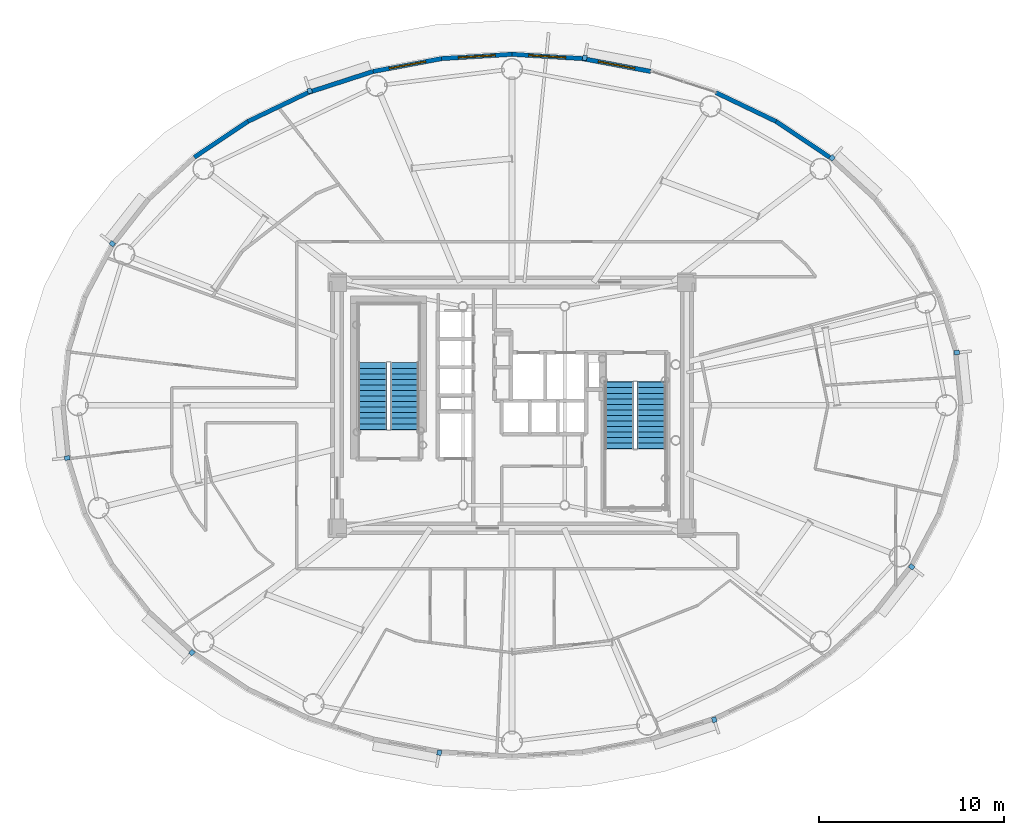
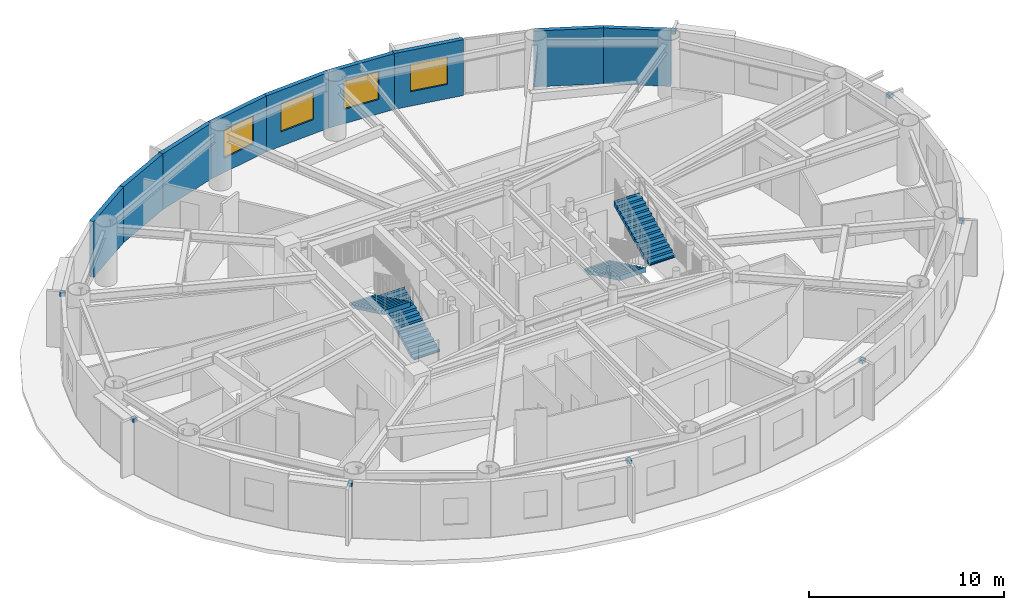
# One storey, part 13 of 19: 10 discrete accessories, 9 walls, 4 stair flights, 4 windows, 4 openings, 2 elements without a shape of their own.
"""IFC4 building model written with IfcOpenShell, lengths in metres."""

from ifc_helpers import new_model, si_unit, direction, frame, frame_2d, origin, origin_2d, place, context, subcontext, project, spatial, polyline, rectangle, outline, extrude, source, transform, mapped, material, layer, layer_set, type_object, element, fill, aggregate, save


model = new_model("IFC4")

# Units and contexts
model_context = context("Model", 3, precision=1e-05, world=origin(), true_north=direction((0.0, 1.0)))
body_context = subcontext(model_context, "Body", "Model", "MODEL_VIEW")
ifc_project = project(units=[si_unit("LENGTHUNIT", "METRE"), si_unit("AREAUNIT", "SQUARE_METRE"), si_unit("VOLUMEUNIT", "CUBIC_METRE"), si_unit("PLANEANGLEUNIT", "RADIAN"), si_unit("MASSUNIT", "GRAM", prefix="KILO")], contexts=[model_context])

# Site, building, storey
site_placement = place(None, origin())
site = spatial("IfcSite", under=ifc_project, at=site_placement, CompositionType="ELEMENT")
building_placement = place(site_placement, origin())
building = spatial("IfcBuilding", under=site, at=building_placement, Name="Linh Dai School and Residence Tower", CompositionType="ELEMENT")
storey_placement = place(building_placement, frame((0.0, 0.0, 210.300048828125)))
storey = spatial("IfcBuildingStorey", under=building, at=storey_placement, Name="L51", CompositionType="ELEMENT", Elevation=210.300048828125)

# Walls
ifc_material_1 = material(Name="Precast Concrete B45 (C35/45)", Category="concrete")
ifc_layer = layer(ifc_material_1, 0.239990234375)
ifc_layer_set = layer_set([ifc_layer], Name="Precast Concrete B45 (C35/45)")
wall_type = type_object("IfcWallType", Name="EW-TC-240", PredefinedType="SOLIDWALL", material=ifc_layer_set)
wall_1_placement = place(storey_placement, frame((50.280029296875, 42.34765625, 0.0), z_axis=(0.0, 0.0, 1.0), x_axis=(0.831262496074, -0.555880079352, 0.0)))
element("IfcWall", 1, at=wall_1_placement, inside=storey, type_object=wall_type, Name="L51 Terracotta Exterior Wall 06", PredefinedType="SOLIDWALL", context=body_context, shape_type="SweptSolid", body=[
    extrude(rectangle(XDim=3.484130859375, YDim=0.239990234375, at=frame_2d((1.7421875, 0.0))), origin(), (0.0, 0.0, 1.0), 3.5),
])
wall_2_placement = place(storey_placement, frame((47.031005859375, 43.906494140625, 0.0), z_axis=(0.0, 0.0, 1.0), x_axis=(0.901598104751, -0.432574684313, 0.0)))
element("IfcWall", 2, at=wall_2_placement, inside=storey, type_object=wall_type, Name="L51 Terracotta Exterior Wall 07", PredefinedType="SOLIDWALL", context=body_context, shape_type="SweptSolid", body=[
    extrude(rectangle(XDim=3.603515625, YDim=0.239990234375, at=frame_2d((1.8017578125, 0.0))), origin(), (0.0, 0.0, 1.0), 3.5),
])

# Wall, opening, window
wall_3_placement = place(storey_placement, frame((39.801513671875, 45.745849609375, 0.0), z_axis=(0.0, 0.0, 1.0), x_axis=(0.982784898575, -0.184753465822, 0.0)))
wall_3 = element("IfcWall", 3, at=wall_3_placement, inside=storey, type_object=wall_type, Name="L51 Terracotta Exterior Wall 09", PredefinedType="SOLIDWALL", context=body_context, shape_type="SweptSolid", body=[
    extrude(rectangle(XDim=3.772705078125, YDim=0.239990234375, at=frame_2d((1.88623046875, 0.0))), origin(), (0.0, 0.0, 1.0), 3.5),
])
opening_1_placement = place(wall_3_placement, frame((0.88623046875, 0.0, 0.89990234375)))
opening_1 = element("IfcOpeningElement", 4, at=opening_1_placement, cuts=wall_3, Name="Opening W1", PredefinedType="OPENING", context=body_context, shape_type="SweptSolid", body=[
    extrude(rectangle(XDim=2.0, YDim=1.75, at=origin_2d()), frame((1.0, 0.1298828125, 0.875), z_axis=(0.0, -1.0, 0.0), x_axis=(1.0, 0.0, 0.0)), (0.0, 0.0, 1.0), 0.260009765625),
])
ifc_material_2 = material(Name="Double Low-E Insulated Glazing", Category="glass")
window_type = type_object("IfcWindowType", Name="WN-RES-2000x1750", PartitioningType="DOUBLE_PANEL_VERTICAL", PredefinedType="WINDOW", material=ifc_material_2)
shared_shape_1 = source(origin(), body_context, "Body", "SweptSolid", [
    extrude(rectangle(XDim=2.0, YDim=1.75, at=origin_2d()), frame((1.0, 0.030029296875, 0.875), z_axis=(0.0, -1.0, 0.0), x_axis=(1.0, 0.0, 0.0)), (0.0, 0.0, 1.0), 0.06005859375),
])
window_1_placement = place(opening_1_placement, origin())
window_1 = element("IfcWindow", 5, at=window_1_placement, inside=storey, type_object=window_type, Name="L51 Exterior Window 09.1", OverallHeight=1.75, OverallWidth=2.0, PartitioningType="DOUBLE_PANEL_VERTICAL", PredefinedType="WINDOW", context=body_context, shape_type="MappedRepresentation", body=[
    mapped(shared_shape_1, transform((0.0, 0.0, 0.0), x_axis=(1.0, 0.0, 0.0), y_axis=(0.0, 1.0, 0.0), z_axis=(0.0, 0.0, 1.0), scale=1.0)),
])
fill(opening_1, window_1)

wall_4_placement = place(storey_placement, frame((36.0, 45.97998046875, 0.0), z_axis=(0.0, 0.0, 1.0), x_axis=(0.998108785312, -0.06147237333, 0.0)))
wall_4 = element("IfcWall", 6, at=wall_4_placement, inside=storey, type_object=wall_type, Name="L51 Terracotta Exterior Wall 10", PredefinedType="SOLIDWALL", context=body_context, shape_type="SweptSolid", body=[
    extrude(rectangle(XDim=3.808837890625, YDim=0.239990234375, at=frame_2d((1.904296875, 0.0))), origin(), (0.0, 0.0, 1.0), 3.5),
])
opening_2_placement = place(wall_4_placement, frame((0.904296875, 0.0, 0.89990234375)))
opening_2 = element("IfcOpeningElement", 7, at=opening_2_placement, cuts=wall_4, Name="Opening W1", PredefinedType="OPENING", context=body_context, shape_type="SweptSolid", body=[
    extrude(rectangle(XDim=2.0, YDim=1.75, at=origin_2d()), frame((1.0, 0.1298828125, 0.875), z_axis=(0.0, -1.0, 0.0), x_axis=(1.0, 0.0, 0.0)), (0.0, 0.0, 1.0), 0.260009765625),
])
window_2_placement = place(opening_2_placement, origin())
window_2 = element("IfcWindow", 8, at=window_2_placement, inside=storey, type_object=window_type, Name="L51 Exterior Window 10.1", OverallHeight=1.75, OverallWidth=2.0, PartitioningType="DOUBLE_PANEL_VERTICAL", PredefinedType="WINDOW", context=body_context, shape_type="MappedRepresentation", body=[
    mapped(shared_shape_1, transform((0.0, 0.0, 0.0), x_axis=(1.0, 0.0, 0.0), y_axis=(0.0, 1.0, 0.0), z_axis=(0.0, 0.0, 1.0), scale=1.0)),
])
fill(opening_2, window_2)

wall_5_placement = place(storey_placement, frame((32.198486328125, 45.745849609375, 0.0), z_axis=(0.0, 0.0, 1.0), x_axis=(0.998108785312, 0.06147237333, 0.0)))
wall_5 = element("IfcWall", 9, at=wall_5_placement, inside=storey, type_object=wall_type, Name="L51 Terracotta Exterior Wall 11", PredefinedType="SOLIDWALL", context=body_context, shape_type="SweptSolid", body=[
    extrude(rectangle(XDim=3.808837890625, YDim=0.239990234375, at=frame_2d((1.904296875, 0.0))), origin(), (0.0, 0.0, 1.0), 3.5),
])
opening_3_placement = place(wall_5_placement, frame((0.904541015625, 0.0, 0.89990234375)))
opening_3 = element("IfcOpeningElement", 10, at=opening_3_placement, cuts=wall_5, Name="Opening W1", PredefinedType="OPENING", context=body_context, shape_type="SweptSolid", body=[
    extrude(rectangle(XDim=2.0, YDim=1.75, at=origin_2d()), frame((1.0, 0.1298828125, 0.875), z_axis=(0.0, -1.0, 0.0), x_axis=(1.0, 0.0, 0.0)), (0.0, 0.0, 1.0), 0.260009765625),
])
window_3_placement = place(opening_3_placement, origin())
window_3 = element("IfcWindow", 11, at=window_3_placement, inside=storey, type_object=window_type, Name="L51 Exterior Window 11.1", OverallHeight=1.75, OverallWidth=2.0, PartitioningType="DOUBLE_PANEL_VERTICAL", PredefinedType="WINDOW", context=body_context, shape_type="MappedRepresentation", body=[
    mapped(shared_shape_1, transform((0.0, 0.0, 0.0), x_axis=(1.0, 0.0, 0.0), y_axis=(0.0, 1.0, 0.0), z_axis=(0.0, 0.0, 1.0), scale=1.0)),
])
fill(opening_3, window_3)

wall_6_placement = place(storey_placement, frame((28.49072265625, 45.048828125, 0.0), z_axis=(0.0, 0.0, 1.0), x_axis=(0.982784898575, 0.184753465822, 0.0)))
wall_6 = element("IfcWall", 12, at=wall_6_placement, inside=storey, type_object=wall_type, Name="L51 Terracotta Exterior Wall 12", PredefinedType="SOLIDWALL", context=body_context, shape_type="SweptSolid", body=[
    extrude(rectangle(XDim=3.772705078125, YDim=0.239990234375, at=frame_2d((1.88623046875, 0.0))), origin(), (0.0, 0.0, 1.0), 3.5),
])
opening_4_placement = place(wall_6_placement, frame((0.88623046875, 0.0, 0.89990234375)))
opening_4 = element("IfcOpeningElement", 13, at=opening_4_placement, cuts=wall_6, Name="Opening W1", PredefinedType="OPENING", context=body_context, shape_type="SweptSolid", body=[
    extrude(rectangle(XDim=2.0, YDim=1.75, at=origin_2d()), frame((1.0, 0.1298828125, 0.875), z_axis=(0.0, -1.0, 0.0), x_axis=(1.0, 0.0, 0.0)), (0.0, 0.0, 1.0), 0.260009765625),
])
window_4_placement = place(opening_4_placement, origin())
window_4 = element("IfcWindow", 14, at=window_4_placement, inside=storey, type_object=window_type, Name="L51 Exterior Window 12.1", OverallHeight=1.75, OverallWidth=2.0, PartitioningType="DOUBLE_PANEL_VERTICAL", PredefinedType="WINDOW", context=body_context, shape_type="MappedRepresentation", body=[
    mapped(shared_shape_1, transform((0.0, 0.0, 0.0), x_axis=(1.0, 0.0, 0.0), y_axis=(0.0, 1.0, 0.0), z_axis=(0.0, 0.0, 1.0), scale=1.0)),
])
fill(opening_4, window_4)

# Walls
wall_7_placement = place(storey_placement, frame((24.968994140625, 43.906494140625, 0.0), z_axis=(0.0, 0.0, 1.0), x_axis=(0.951210789182, 0.308541787354, 0.0)))
element("IfcWall", 15, at=wall_7_placement, inside=storey, type_object=wall_type, Name="L51 Terracotta Exterior Wall 13", PredefinedType="SOLIDWALL", context=body_context, shape_type="SweptSolid", body=[
    extrude(rectangle(XDim=3.702392578125, YDim=0.239990234375, at=frame_2d((1.85107421875, 0.0))), origin(), (0.0, 0.0, 1.0), 3.5),
])
wall_8_placement = place(storey_placement, frame((21.719970703125, 42.34765625, 0.0), z_axis=(0.0, 0.0, 1.0), x_axis=(0.901598104751, 0.432574684313, 0.0)))
element("IfcWall", 16, at=wall_8_placement, inside=storey, type_object=wall_type, Name="L51 Terracotta Exterior Wall 14", PredefinedType="SOLIDWALL", context=body_context, shape_type="SweptSolid", body=[
    extrude(rectangle(XDim=3.603515625, YDim=0.239990234375, at=frame_2d((1.8017578125, 0.0))), origin(), (0.0, 0.0, 1.0), 3.5),
])
wall_9_placement = place(storey_placement, frame((18.82373046875, 40.410888671875, 0.0), z_axis=(0.0, 0.0, 1.0), x_axis=(0.831262496074, 0.555880079352, 0.0)))
element("IfcWall", 17, at=wall_9_placement, inside=storey, type_object=wall_type, Name="L51 Terracotta Exterior Wall 15", PredefinedType="SOLIDWALL", context=body_context, shape_type="SweptSolid", body=[
    extrude(rectangle(XDim=3.484130859375, YDim=0.239990234375, at=frame_2d((1.7421875, 0.0))), origin(), (0.0, 0.0, 1.0), 3.5),
])

# Stair, stair flights
ifc_material_3 = material(Name="Concrete B45 (C35/45)", Category="concrete")
stair_type = type_object("IfcStairType", Name="ST-DOG-1550-R1442", PredefinedType="HALF_TURN_STAIR", material=ifc_material_3)
stair_1_placement = place(storey_placement, origin())
stair_1 = element("IfcStair", 18, at=stair_1_placement, inside=storey, type_object=stair_type, Name="L51 Core Smokeproof Exit Stair ST1", PredefinedType="HALF_TURN_STAIR")
stair_flight_type = type_object("IfcStairFlightType", Name="STF-STR-1550-R1442", PredefinedType="STRAIGHT", material=ifc_material_3)
shared_shape_2 = source(origin(), body_context, "Body", "SweptSolid", [
    extrude(outline(polyline([(-0.02490234375, 0.0), (-0.02490234375, 0.06005859375), (0.0, 0.06005859375), (0.0, 0.144287109375), (0.300048828125, 0.144287109375), (0.300048828125, 0.28857421875), (0.60009765625, 0.28857421875), (0.60009765625, 0.4326171875), (0.89990234375, 0.4326171875), (0.89990234375, 0.576904296875), (1.199951171875, 0.576904296875), (1.199951171875, 0.72119140625), (1.5, 0.72119140625), (1.5, 0.865478515625), (1.800048828125, 0.865478515625), (1.800048828125, 1.009521484375), (2.10009765625, 1.009521484375), (2.10009765625, 1.15380859375), (2.39990234375, 1.15380859375), (2.39990234375, 1.298095703125), (2.699951171875, 1.298095703125), (2.699951171875, 1.4423828125), (3.0, 1.4423828125), (3.0, 1.58642578125), (3.300048828125, 1.58642578125), (3.300048828125, 1.730712890625), (3.60009765625, 1.730712890625), (3.60009765625, 1.875), (3.625, 1.875), (3.625, 1.564453125), (3.60009765625, 1.564453125), (0.345947265625, 0.0), (-0.02490234375, 0.0)])), frame((0.0, 0.77490234375, 0.0), z_axis=(0.0, -1.0, 0.0), x_axis=(1.0, 0.0, 0.0)), (0.0, 0.0, 1.0), 1.550048828125),
])
stair_flight_1_placement = place(storey_placement, frame((30.205078125, 25.699951171875, 0.0), z_axis=(0.0, 0.0, 1.0), x_axis=(0.0, 1.0, 0.0)))
stair_flight_1 = element("IfcStairFlight", 19, at=stair_flight_1_placement, type_object=stair_flight_type, Name="ST1 flight 1", NumberOfRisers=13, NumberOfTreads=12, PredefinedType="STRAIGHT", RiserHeight=0.144230769, TreadLength=0.3, context=body_context, shape_type="MappedRepresentation", body=[
    mapped(shared_shape_2, transform((0.0, 0.0, 0.0), x_axis=(1.0, 0.0, 0.0), y_axis=(0.0, 1.0, 0.0), z_axis=(0.0, 0.0, 1.0), scale=1.0)),
])
stair_flight_2_placement = place(storey_placement, frame((28.455078125, 29.300048828125, 1.875), z_axis=(0.0, 0.0, 1.0), x_axis=(0.0, -1.0, 0.0)))
stair_flight_2 = element("IfcStairFlight", 20, at=stair_flight_2_placement, type_object=stair_flight_type, Name="ST1 flight 2", NumberOfRisers=13, NumberOfTreads=12, PredefinedType="STRAIGHT", RiserHeight=0.144230769, TreadLength=0.3, context=body_context, shape_type="MappedRepresentation", body=[
    mapped(shared_shape_2, transform((0.0, 0.0, 0.0), x_axis=(1.0, 0.0, 0.0), y_axis=(0.0, 1.0, 0.0), z_axis=(0.0, 0.0, 1.0), scale=1.0)),
])
aggregate(stair_1, [stair_flight_1, stair_flight_2])

stair_2_placement = place(storey_placement, origin())
stair_2 = element("IfcStair", 21, at=stair_2_placement, inside=storey, type_object=stair_type, Name="L51 Core Smokeproof Exit Stair ST2", PredefinedType="HALF_TURN_STAIR")
stair_flight_3_placement = place(storey_placement, frame((41.794921875, 28.25, 0.0), z_axis=(0.0, 0.0, 1.0), x_axis=(0.0, -1.0, 0.0)))
stair_flight_3 = element("IfcStairFlight", 22, at=stair_flight_3_placement, type_object=stair_flight_type, Name="ST2 flight 1", NumberOfRisers=13, NumberOfTreads=12, PredefinedType="STRAIGHT", RiserHeight=0.144230769, TreadLength=0.3, context=body_context, shape_type="MappedRepresentation", body=[
    mapped(shared_shape_2, transform((0.0, 0.0, 0.0), x_axis=(1.0, 0.0, 0.0), y_axis=(0.0, 1.0, 0.0), z_axis=(0.0, 0.0, 1.0), scale=1.0)),
])
stair_flight_4_placement = place(storey_placement, frame((43.544921875, 24.64990234375, 1.875), z_axis=(0.0, 0.0, 1.0), x_axis=(0.0, 1.0, 0.0)))
stair_flight_4 = element("IfcStairFlight", 23, at=stair_flight_4_placement, type_object=stair_flight_type, Name="ST2 flight 2", NumberOfRisers=13, NumberOfTreads=12, PredefinedType="STRAIGHT", RiserHeight=0.144230769, TreadLength=0.3, context=body_context, shape_type="MappedRepresentation", body=[
    mapped(shared_shape_2, transform((0.0, 0.0, 0.0), x_axis=(1.0, 0.0, 0.0), y_axis=(0.0, 1.0, 0.0), z_axis=(0.0, 0.0, 1.0), scale=1.0)),
])
aggregate(stair_2, [stair_flight_3, stair_flight_4])

# Discrete accessories
ifc_material_4 = material(Name="Structural Steel S355JR", Category="steel")
discrete_accessory_type = type_object("IfcDiscreteAccessoryType", Name="ACC-BRK-S355", PredefinedType="BRACKET", material=ifc_material_4)
shared_shape_3 = source(origin(), body_context, "Body", "SweptSolid", [
    extrude(rectangle(XDim=0.280029296875, YDim=0.239990234375, at=origin_2d()), origin(), (0.0, 0.0, 1.0), 0.219970703125),
])
for number, where, z_axis, x_axis, name in (
    (24, (60.048828125, 29.8505859375, 3.25), (0.0, 0.0, 1.0), (0.99498620644, 0.100012244219, 0.0), "L51 Facade Frame Anchor Bracket 01"),
    (25, (53.305419921875, 40.3740234375, 3.25), (0.0, 0.0, 1.0), (0.675757574408, 0.737123938446, 0.0), "L51 Facade Frame Anchor Bracket 05"),
    (26, (39.9306640625, 45.782470703125, 3.25), (0.0, 0.0, 1.0), (0.18474448537, 0.982786586765, 0.0), "L51 Facade Frame Anchor Bracket 09"),
    (27, (25.064697265625, 44.000732421875, 3.25), (0.0, 0.0, 1.0), (-0.308501065272, 0.951223997135, 0.0), "L51 Facade Frame Anchor Bracket 13"),
    (28, (14.390869140625, 35.73681640625, 3.25), (0.0, 0.0, 1.0), (-0.787486677066, 0.616331674867, 0.0), "L51 Facade Frame Anchor Bracket 17"),
    (29, (11.951171875, 24.1494140625, 3.25), (0.0, 0.0, 1.0), (-0.99498620644, -0.100012244219, 0.0), "L51 Facade Frame Anchor Bracket 21"),
    (30, (18.694580078125, 13.6259765625, 3.25), (0.0, 0.0, 1.0), (-0.675756089102, -0.737125300096, 0.0), "L51 Facade Frame Anchor Bracket 25"),
    (31, (32.0693359375, 8.217529296875, 3.25), (0.0, 0.0, 1.0), (-0.18474448537, -0.982786586765, 0.0), "L51 Facade Frame Anchor Bracket 29"),
    (32, (46.935302734375, 9.999267578125, 3.25), (0.0, 0.0, 1.0), (0.308501065272, -0.951223997135, 0.0), "L51 Facade Frame Anchor Bracket 33"),
    (33, (57.609130859375, 18.26318359375, 3.25), (0.0, 0.0, 1.0), (0.787485171888, -0.616333598027, 0.0), "L51 Facade Frame Anchor Bracket 37"),
):
    element("IfcDiscreteAccessory", number, at=place(storey_placement, frame(where, z_axis=z_axis, x_axis=x_axis)), inside=storey, type_object=discrete_accessory_type, Name=name, PredefinedType="BRACKET", context=body_context, shape_type="MappedRepresentation", body=[
        mapped(shared_shape_3, transform((0.0, 0.0, 0.0), x_axis=(1.0, 0.0, 0.0), y_axis=(0.0, 1.0, 0.0), z_axis=(0.0, 0.0, 1.0), scale=1.0)),
    ])

save(model, "model.ifc")
